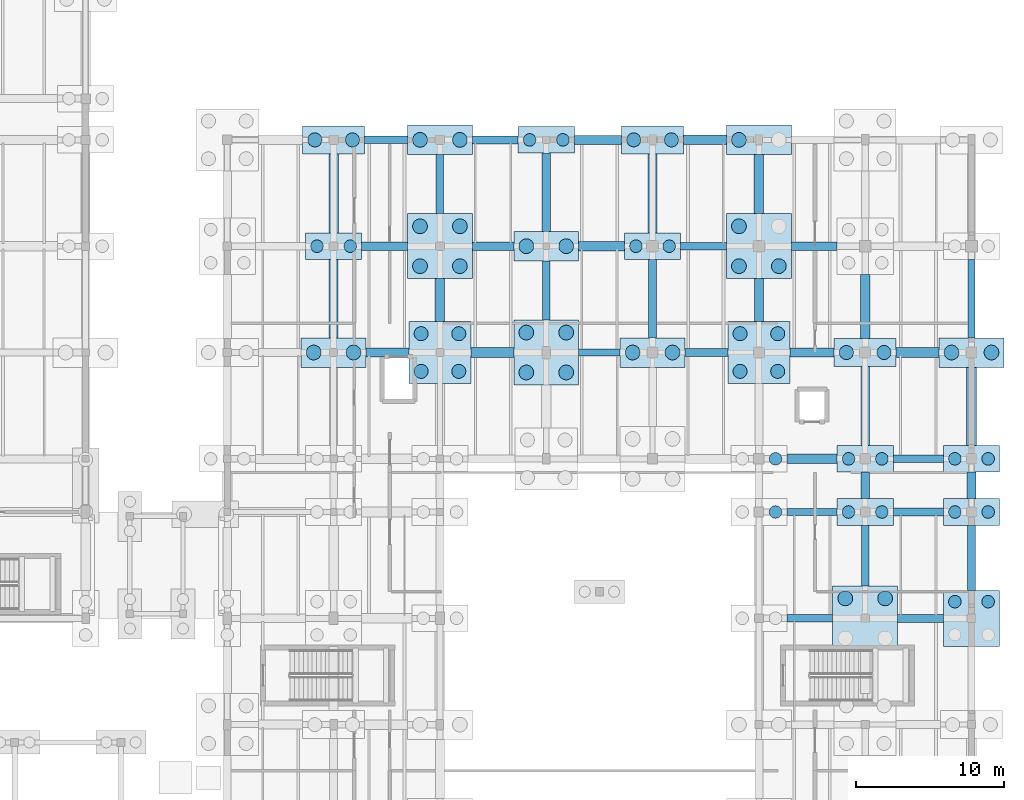
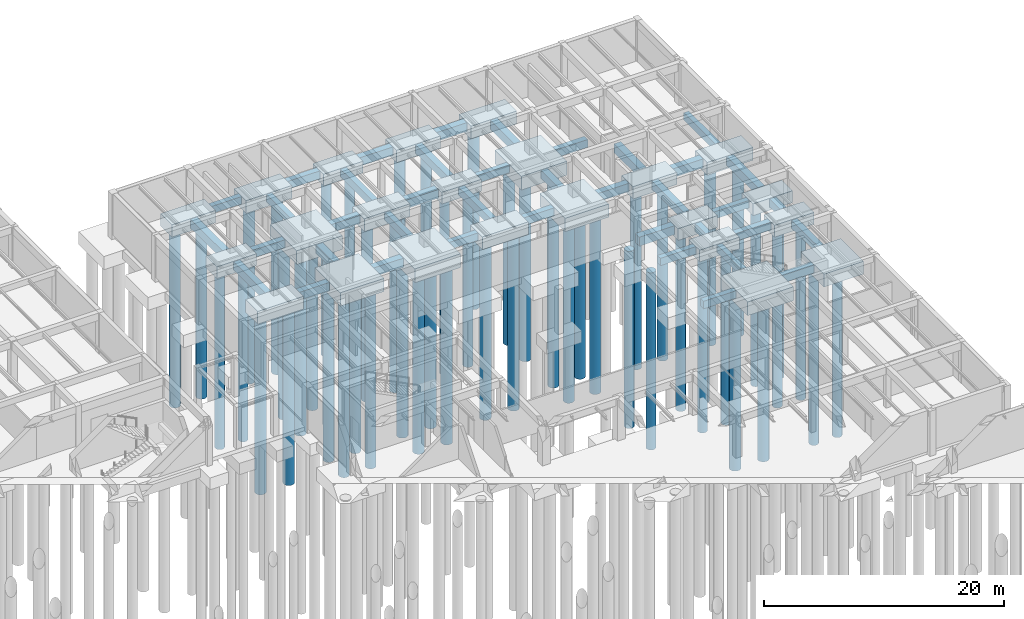
# One storey, part 16 of 63: 62 footings, 56 piles.
"""IFC4 building model written with IfcOpenShell, lengths in metres."""

from ifc_helpers import new_model, si_unit, direction, frame, origin, origin_2d, place, context, subcontext, project, spatial, rectangle, circle, extrude, material, material_profile, profile_set, type_object, element, save


model = new_model("IFC4")

# Units and contexts
model_context = context("Model", 3, precision=1e-05, world=origin(), true_north=direction((0.0, 1.0)))
body_context = subcontext(model_context, "Body", "Model", "MODEL_VIEW")
ifc_project = project(units=[si_unit("LENGTHUNIT", "METRE"), si_unit("AREAUNIT", "SQUARE_METRE"), si_unit("VOLUMEUNIT", "CUBIC_METRE"), si_unit("PLANEANGLEUNIT", "RADIAN"), si_unit("MASSUNIT", "GRAM", prefix="KILO")], contexts=[model_context])

# Site, building, storey
site_placement = place(None, origin())
site = spatial("IfcSite", under=ifc_project, at=site_placement, CompositionType="ELEMENT")
building_placement = place(site_placement, origin())
building = spatial("IfcBuilding", under=site, at=building_placement, Name="Mazaris Harbour Polytechnic", CompositionType="ELEMENT")
storey_placement = place(building_placement, frame((0.0, 0.0, -4.5)))
storey = spatial("IfcBuildingStorey", under=building, at=storey_placement, Name="B1", CompositionType="ELEMENT", Elevation=-4.5)

# Piles
ifc_material_1 = material(Name="Concrete C35/45", Category="concrete")
ifc_material_profile_1 = material_profile(ifc_material_1, circle(Radius=0.5, at=origin_2d()), Name="DIA1000")
ifc_profile_set_1 = profile_set([ifc_material_profile_1], Name="Concrete C35/45")
pile_type_1 = type_object("IfcPileType", Name="Bored Pile 1000", PredefinedType="BORED", material=ifc_profile_set_1)
for number, where, z_axis, x_axis, name in (
    (1, (128.25, 93.60009765625, -1.6201171875), (0.0, 0.0, -1.0), (1.0, 0.0, 0.0), "Bored Pile BP-257-1"),
    (2, (130.949951171875, 93.60009765625, -1.6201171875), (0.0, 0.0, -1.0), (1.0, 0.0, 0.0), "Bored Pile BP-257-2"),
    (3, (135.449951171875, 99.449951171875, -1.719970703125), (0.0, 0.0, -1.0), (1.0, 0.0, 0.0), "Bored Pile BP-268-1"),
    (4, (138.14990234375, 99.449951171875, -1.719970703125), (0.0, 0.0, -1.0), (1.0, 0.0, 0.0), "Bored Pile BP-268-2"),
    (5, (135.449951171875, 102.14990234375, -1.719970703125), (0.0, 0.0, -1.0), (1.0, 0.0, 0.0), "Bored Pile BP-268-3"),
    (6, (138.14990234375, 102.14990234375, -1.719970703125), (0.0, 0.0, -1.0), (1.0, 0.0, 0.0), "Bored Pile BP-268-4"),
    (7, (135.449951171875, 108.0, -1.6201171875), (0.0, 0.0, -1.0), (1.0, 0.0, 0.0), "Bored Pile BP-269-1"),
    (8, (138.14990234375, 108.0, -1.6201171875), (0.0, 0.0, -1.0), (1.0, 0.0, 0.0), "Bored Pile BP-269-2"),
    (9, (142.64990234375, 92.25, -1.719970703125), (0.0, 0.0, -1.0), (1.0, 0.0, 0.0), "Bored Pile BP-274-1"),
    (10, (145.35009765625, 92.25, -1.719970703125), (0.0, 0.0, -1.0), (1.0, 0.0, 0.0), "Bored Pile BP-274-2"),
    (11, (142.64990234375, 94.949951171875, -1.719970703125), (0.0, 0.0, -1.0), (1.0, 0.0, 0.0), "Bored Pile BP-274-3"),
    (12, (145.35009765625, 94.949951171875, -1.719970703125), (0.0, 0.0, -1.0), (1.0, 0.0, 0.0), "Bored Pile BP-274-4"),
    (13, (142.64990234375, 100.800048828125, -1.6201171875), (0.0, 0.0, -1.0), (1.0, 0.0, 0.0), "Bored Pile BP-275-1"),
    (14, (145.35009765625, 100.800048828125, -1.6201171875), (0.0, 0.0, -1.0), (1.0, 0.0, 0.0), "Bored Pile BP-275-2"),
    (15, (149.85009765625, 93.60009765625, -1.6201171875), (0.0, 0.0, -1.0), (1.0, 0.0, 0.0), "Bored Pile BP-281-1"),
    (16, (152.550048828125, 93.60009765625, -1.6201171875), (0.0, 0.0, -1.0), (1.0, 0.0, 0.0), "Bored Pile BP-281-2"),
    (17, (157.050048828125, 99.449951171875, -1.719970703125), (0.0, 0.0, -1.0), (1.0, 0.0, 0.0), "Bored Pile BP-292-1"),
    (18, (159.75, 99.449951171875, -1.719970703125), (0.0, 0.0, -1.0), (1.0, 0.0, 0.0), "Bored Pile BP-292-2"),
    (19, (157.050048828125, 102.14990234375, -1.719970703125), (0.0, 0.0, -1.0), (1.0, 0.0, 0.0), "Bored Pile BP-292-3"),
    (20, (157.050048828125, 108.0, -1.6201171875), (0.0, 0.0, -1.0), (1.0, 0.0, 0.0), "Bored Pile BP-293-1"),
    (21, (164.25, 76.949951171875, -1.719970703125), (0.0, 0.0, -1.0), (1.0, 0.0, 0.0), "Bored Pile BP-298-3"),
    (22, (166.949951171875, 76.949951171875, -1.719970703125), (0.0, 0.0, -1.0), (1.0, 0.0, 0.0), "Bored Pile BP-298-4"),
    (23, (171.449951171875, 93.60009765625, -1.6201171875), (0.0, 0.0, -1.0), (1.0, 0.0, 0.0), "Bored Pile BP-311-1"),
    (24, (174.14990234375, 93.60009765625, -1.6201171875), (0.0, 0.0, -1.0), (1.0, 0.0, 0.0), "Bored Pile BP-311-2"),
):
    element("IfcPile", number, at=place(storey_placement, frame(where, z_axis=z_axis, x_axis=x_axis)), inside=storey, type_object=pile_type_1, Name=name, PredefinedType="BORED", context=body_context, shape_type="SweptSolid", body=[
        extrude(circle(Radius=0.5, at=origin_2d()), origin(), (0.0, 0.0, 1.0), 18.0),
    ])
ifc_material_2 = material(Name="Concrete C35/45", Category="concrete")
ifc_material_profile_2 = material_profile(ifc_material_2, circle(Radius=0.425048828125, at=origin_2d()), Name="DIA850")
ifc_profile_set_2 = profile_set([ifc_material_profile_2], Name="Concrete C35/45")
pile_type_2 = type_object("IfcPileType", Name="Bored Pile 850", PredefinedType="BORED", material=ifc_profile_set_2)
for number, where, z_axis, x_axis, name in (
    (25, (128.473876953125, 100.800048828125, -1.52001953125), (0.0, 0.0, -1.0), (1.0, 0.0, 0.0), "Bored Pile BP-258-1"),
    (26, (130.726318359375, 100.800048828125, -1.52001953125), (0.0, 0.0, -1.0), (1.0, 0.0, 0.0), "Bored Pile BP-258-2"),
    (27, (142.873779296875, 108.0, -1.52001953125), (0.0, 0.0, -1.0), (1.0, 0.0, 0.0), "Bored Pile BP-276-1"),
    (28, (145.126220703125, 108.0, -1.52001953125), (0.0, 0.0, -1.0), (1.0, 0.0, 0.0), "Bored Pile BP-276-2"),
    (29, (150.07373046875, 100.800048828125, -1.52001953125), (0.0, 0.0, -1.0), (1.0, 0.0, 0.0), "Bored Pile BP-282-1"),
    (30, (152.326171875, 100.800048828125, -1.52001953125), (0.0, 0.0, -1.0), (1.0, 0.0, 0.0), "Bored Pile BP-282-2"),
    (31, (159.526123046875, 82.800048828125, -1.52001953125), (0.0, 0.0, -1.0), (1.0, 0.0, 0.0), "Bored Pile BP-289-2"),
    (32, (159.526123046875, 86.39990234375, -1.52001953125), (0.0, 0.0, -1.0), (1.0, 0.0, 0.0), "Bored Pile BP-290-2"),
    (33, (164.473876953125, 82.800048828125, -1.52001953125), (0.0, 0.0, -1.0), (1.0, 0.0, 0.0), "Bored Pile BP-299-1"),
    (34, (166.726318359375, 82.800048828125, -1.52001953125), (0.0, 0.0, -1.0), (1.0, 0.0, 0.0), "Bored Pile BP-299-2"),
    (35, (164.473876953125, 86.39990234375, -1.52001953125), (0.0, 0.0, -1.0), (1.0, 0.0, 0.0), "Bored Pile BP-300-1"),
    (36, (166.726318359375, 86.39990234375, -1.52001953125), (0.0, 0.0, -1.0), (1.0, 0.0, 0.0), "Bored Pile BP-300-2"),
    (37, (171.673828125, 76.726318359375, -1.6201171875), (0.0, 0.0, -1.0), (1.0, 0.0, 0.0), "Bored Pile BP-308-3"),
    (38, (173.92626953125, 76.726318359375, -1.6201171875), (0.0, 0.0, -1.0), (1.0, 0.0, 0.0), "Bored Pile BP-308-4"),
    (39, (171.673828125, 82.800048828125, -1.52001953125), (0.0, 0.0, -1.0), (1.0, 0.0, 0.0), "Bored Pile BP-309-1"),
    (40, (173.92626953125, 82.800048828125, -1.52001953125), (0.0, 0.0, -1.0), (1.0, 0.0, 0.0), "Bored Pile BP-309-2"),
    (41, (171.673828125, 86.39990234375, -1.52001953125), (0.0, 0.0, -1.0), (1.0, 0.0, 0.0), "Bored Pile BP-310-1"),
    (42, (173.92626953125, 86.39990234375, -1.52001953125), (0.0, 0.0, -1.0), (1.0, 0.0, 0.0), "Bored Pile BP-310-2"),
):
    element("IfcPile", number, at=place(storey_placement, frame(where, z_axis=z_axis, x_axis=x_axis)), inside=storey, type_object=pile_type_2, Name=name, PredefinedType="BORED", context=body_context, shape_type="SweptSolid", body=[
        extrude(circle(Radius=0.425048828125, at=origin_2d()), origin(), (0.0, 0.0, 1.0), 18.0),
    ])
ifc_material_3 = material(Name="Concrete C35/45", Category="concrete")
ifc_material_profile_3 = material_profile(ifc_material_3, circle(Radius=0.47509765625, at=origin_2d()), Name="DIA950")
ifc_profile_set_3 = profile_set([ifc_material_profile_3], Name="Concrete C35/45")
pile_type_3 = type_object("IfcPileType", Name="Bored Pile 950", PredefinedType="BORED", material=ifc_profile_set_3)
for number, where, z_axis, x_axis, name in (
    (43, (128.324951171875, 108.0, -1.570068359375), (0.0, 0.0, -1.0), (1.0, 0.0, 0.0), "Bored Pile BP-259-1"),
    (44, (130.875, 108.0, -1.570068359375), (0.0, 0.0, -1.0), (1.0, 0.0, 0.0), "Bored Pile BP-259-2"),
    (45, (135.52490234375, 92.324951171875, -1.669921875), (0.0, 0.0, -1.0), (1.0, 0.0, 0.0), "Bored Pile BP-267-1"),
    (46, (138.074951171875, 92.324951171875, -1.669921875), (0.0, 0.0, -1.0), (1.0, 0.0, 0.0), "Bored Pile BP-267-2"),
    (47, (135.52490234375, 94.875, -1.669921875), (0.0, 0.0, -1.0), (1.0, 0.0, 0.0), "Bored Pile BP-267-3"),
    (48, (138.074951171875, 94.875, -1.669921875), (0.0, 0.0, -1.0), (1.0, 0.0, 0.0), "Bored Pile BP-267-4"),
    (49, (149.925048828125, 108.0, -1.570068359375), (0.0, 0.0, -1.0), (1.0, 0.0, 0.0), "Bored Pile BP-283-1"),
    (50, (152.47509765625, 108.0, -1.570068359375), (0.0, 0.0, -1.0), (1.0, 0.0, 0.0), "Bored Pile BP-283-2"),
    (51, (157.125, 92.324951171875, -1.669921875), (0.0, 0.0, -1.0), (1.0, 0.0, 0.0), "Bored Pile BP-291-1"),
    (52, (159.675048828125, 92.324951171875, -1.669921875), (0.0, 0.0, -1.0), (1.0, 0.0, 0.0), "Bored Pile BP-291-2"),
    (53, (157.125, 94.875, -1.669921875), (0.0, 0.0, -1.0), (1.0, 0.0, 0.0), "Bored Pile BP-291-3"),
    (54, (159.675048828125, 94.875, -1.669921875), (0.0, 0.0, -1.0), (1.0, 0.0, 0.0), "Bored Pile BP-291-4"),
    (55, (164.324951171875, 93.60009765625, -1.570068359375), (0.0, 0.0, -1.0), (1.0, 0.0, 0.0), "Bored Pile BP-301-1"),
    (56, (166.875, 93.60009765625, -1.570068359375), (0.0, 0.0, -1.0), (1.0, 0.0, 0.0), "Bored Pile BP-301-2"),
):
    element("IfcPile", number, at=place(storey_placement, frame(where, z_axis=z_axis, x_axis=x_axis)), inside=storey, type_object=pile_type_3, Name=name, PredefinedType="BORED", context=body_context, shape_type="SweptSolid", body=[
        extrude(circle(Radius=0.47509765625, at=origin_2d()), origin(), (0.0, 0.0, 1.0), 18.0),
    ])

# Footings
ifc_material_4 = material(Name="Concrete C35/45", Category="concrete")
footing_type_1 = type_object("IfcFootingType", Name="Pile Cap 3800x1800x1200", PredefinedType="PILE_CAP", material=ifc_material_4)
for number, where, z_axis, x_axis, name in (
    (57, (129.60009765625, 100.800048828125, -1.6201171875), (0.0, 0.0, 1.0), (1.0, 0.0, 0.0), "Pile Cap CAP-258"),
    (58, (144.0, 108.0, -1.6201171875), (0.0, 0.0, 1.0), (1.0, 0.0, 0.0), "Pile Cap CAP-276"),
    (59, (151.199951171875, 100.800048828125, -1.6201171875), (0.0, 0.0, 1.0), (1.0, 0.0, 0.0), "Pile Cap CAP-282"),
    (60, (165.60009765625, 82.800048828125, -1.6201171875), (0.0, 0.0, 1.0), (1.0, 0.0, 0.0), "Pile Cap CAP-299"),
    (61, (165.60009765625, 86.39990234375, -1.6201171875), (0.0, 0.0, 1.0), (1.0, 0.0, 0.0), "Pile Cap CAP-300"),
    (62, (172.800048828125, 82.800048828125, -1.6201171875), (0.0, 0.0, 1.0), (1.0, 0.0, 0.0), "Pile Cap CAP-309"),
    (63, (172.800048828125, 86.39990234375, -1.6201171875), (0.0, 0.0, 1.0), (1.0, 0.0, 0.0), "Pile Cap CAP-310"),
):
    element("IfcFooting", number, at=place(storey_placement, frame(where, z_axis=z_axis, x_axis=x_axis)), inside=storey, type_object=footing_type_1, Name=name, PredefinedType="PILE_CAP", context=body_context, shape_type="SweptSolid", body=[
        extrude(rectangle(XDim=3.800048828125, YDim=1.800048828125, at=origin_2d()), origin(), (0.0, 0.0, 1.0), 1.199951171875),
    ])
ifc_material_5 = material(Name="Concrete C35/45", Category="concrete")
footing_type_2 = type_object("IfcFootingType", Name="Pile Cap 3800x3800x1300", PredefinedType="PILE_CAP", material=ifc_material_5)
footing_1_placement = place(storey_placement, frame((172.800048828125, 75.60009765625, -1.72021484375), z_axis=(0.0, 0.0, 1.0), x_axis=(1.0, 0.0, 0.0)))
element("IfcFooting", 64, at=footing_1_placement, inside=storey, type_object=footing_type_2, Name="Pile Cap CAP-308", PredefinedType="PILE_CAP", context=body_context, shape_type="SweptSolid", body=[
    extrude(rectangle(XDim=3.800048828125, YDim=3.800048828125, at=origin_2d()), origin(), (0.0, 0.0, 1.0), 1.300048828125),
])
ifc_material_6 = material(Name="Concrete C35/45", Category="concrete")
footing_type_3 = type_object("IfcFootingType", Name="Pile Cap 4200x1900x1250", PredefinedType="PILE_CAP", material=ifc_material_6)
for number, where, z_axis, x_axis, name in (
    (65, (129.60009765625, 108.0, -1.669921875), (0.0, 0.0, 1.0), (1.0, 0.0, 0.0), "Pile Cap CAP-259"),
    (66, (151.199951171875, 108.0, -1.669921875), (0.0, 0.0, 1.0), (1.0, 0.0, 0.0), "Pile Cap CAP-283"),
    (67, (165.60009765625, 93.60009765625, -1.669921875), (0.0, 0.0, 1.0), (1.0, 0.0, 0.0), "Pile Cap CAP-301"),
):
    element("IfcFooting", number, at=place(storey_placement, frame(where, z_axis=z_axis, x_axis=x_axis)), inside=storey, type_object=footing_type_3, Name=name, PredefinedType="PILE_CAP", context=body_context, shape_type="SweptSolid", body=[
        extrude(rectangle(XDim=4.199951171875, YDim=1.89990234375, at=origin_2d()), origin(), (0.0, 0.0, 1.0), 1.25),
    ])
ifc_material_7 = material(Name="Concrete C35/45", Category="concrete")
footing_type_4 = type_object("IfcFootingType", Name="Pile Cap 4200x4200x1350", PredefinedType="PILE_CAP", material=ifc_material_7)
for number, where, z_axis, x_axis, name in (
    (68, (136.800048828125, 93.60009765625, -1.77001953125), (0.0, 0.0, 1.0), (1.0, 0.0, 0.0), "Pile Cap CAP-267"),
    (69, (158.39990234375, 93.60009765625, -1.77001953125), (0.0, 0.0, 1.0), (1.0, 0.0, 0.0), "Pile Cap CAP-291"),
):
    element("IfcFooting", number, at=place(storey_placement, frame(where, z_axis=z_axis, x_axis=x_axis)), inside=storey, type_object=footing_type_4, Name=name, PredefinedType="PILE_CAP", context=body_context, shape_type="SweptSolid", body=[
        extrude(rectangle(XDim=4.199951171875, YDim=4.199951171875, at=origin_2d()), origin(), (0.0, 0.0, 1.0), 1.35009765625),
    ])
ifc_material_8 = material(Name="Concrete C35/45", Category="concrete")
footing_type_5 = type_object("IfcFootingType", Name="Pile Cap 4400x2000x1300", PredefinedType="PILE_CAP", material=ifc_material_8)
for number, where, z_axis, x_axis, name in (
    (70, (129.60009765625, 93.60009765625, -1.72021484375), (0.0, 0.0, 1.0), (1.0, 0.0, 0.0), "Pile Cap CAP-257"),
    (71, (136.800048828125, 108.0, -1.72021484375), (0.0, 0.0, 1.0), (1.0, 0.0, 0.0), "Pile Cap CAP-269"),
    (72, (144.0, 100.800048828125, -1.72021484375), (0.0, 0.0, 1.0), (1.0, 0.0, 0.0), "Pile Cap CAP-275"),
    (73, (151.199951171875, 93.60009765625, -1.72021484375), (0.0, 0.0, 1.0), (1.0, 0.0, 0.0), "Pile Cap CAP-281"),
    (74, (158.39990234375, 108.0, -1.72021484375), (0.0, 0.0, 1.0), (1.0, 0.0, 0.0), "Pile Cap CAP-293"),
    (75, (172.800048828125, 93.60009765625, -1.72021484375), (0.0, 0.0, 1.0), (1.0, 0.0, 0.0), "Pile Cap CAP-311"),
):
    element("IfcFooting", number, at=place(storey_placement, frame(where, z_axis=z_axis, x_axis=x_axis)), inside=storey, type_object=footing_type_5, Name=name, PredefinedType="PILE_CAP", context=body_context, shape_type="SweptSolid", body=[
        extrude(rectangle(XDim=4.39990234375, YDim=2.0, at=origin_2d()), origin(), (0.0, 0.0, 1.0), 1.300048828125),
    ])
ifc_material_9 = material(Name="Concrete C35/45", Category="concrete")
footing_type_6 = type_object("IfcFootingType", Name="Pile Cap 4400x4400x1400", PredefinedType="PILE_CAP", material=ifc_material_9)
for number, where, z_axis, x_axis, name in (
    (76, (136.800048828125, 100.800048828125, -1.820068359375), (0.0, 0.0, 1.0), (1.0, 0.0, 0.0), "Pile Cap CAP-268"),
    (77, (144.0, 93.60009765625, -1.820068359375), (0.0, 0.0, 1.0), (1.0, 0.0, 0.0), "Pile Cap CAP-274"),
    (78, (158.39990234375, 100.800048828125, -1.820068359375), (0.0, 0.0, 1.0), (1.0, 0.0, 0.0), "Pile Cap CAP-292"),
    (79, (165.60009765625, 75.60009765625, -1.820068359375), (0.0, 0.0, 1.0), (1.0, 0.0, 0.0), "Pile Cap CAP-298"),
):
    element("IfcFooting", number, at=place(storey_placement, frame(where, z_axis=z_axis, x_axis=x_axis)), inside=storey, type_object=footing_type_6, Name=name, PredefinedType="PILE_CAP", context=body_context, shape_type="SweptSolid", body=[
        extrude(rectangle(XDim=4.39990234375, YDim=4.39990234375, at=origin_2d()), origin(), (0.0, 0.0, 1.0), 1.39990234375),
    ])
ifc_material_10 = material(Name="Concrete C35/45", Category="concrete")
ifc_material_profile_4 = material_profile(ifc_material_10, rectangle(XDim=0.5, YDim=0.75, at=origin_2d()), Name="RECT500x750")
ifc_profile_set_4 = profile_set([ifc_material_profile_4], Name="Concrete C35/45")
footing_type_7 = type_object("IfcFootingType", Name="Seismic Tie Beam 500x750", PredefinedType="FOOTING_BEAM", material=ifc_profile_set_4)
footing_2_placement = place(storey_placement, frame((160.300048828125, 75.60009765625, -0.8349609375), z_axis=(1.0, 0.0, 0.0), x_axis=(0.0, 1.0, 0.0)))
element("IfcFooting", 80, at=footing_2_placement, inside=storey, type_object=footing_type_7, Name="Seismic Tie Beam FTB-432", PredefinedType="FOOTING_BEAM", context=body_context, shape_type="SweptSolid", body=[
    extrude(rectangle(XDim=0.5, YDim=0.75, at=origin_2d()), origin(), (0.0, 0.0, 1.0), 3.099853515625),
])
for number, where, z_axis, x_axis, name in (
    (81, (160.300048828125, 82.800048828125, -0.8349609375), (1.0, 0.0, 0.0), (0.0, 1.0, 0.0), "Seismic Tie Beam FTB-436"),
    (82, (167.5, 86.39990234375, -0.8349609375), (1.0, 0.0, 0.0), (0.0, 1.0, 0.0), "Seismic Tie Beam FTB-444"),
):
    element("IfcFooting", number, at=place(storey_placement, frame(where, z_axis=z_axis, x_axis=x_axis)), inside=storey, type_object=footing_type_7, Name=name, PredefinedType="FOOTING_BEAM", context=body_context, shape_type="SweptSolid", body=[
        extrude(rectangle(XDim=0.5, YDim=0.75, at=origin_2d()), origin(), (0.0, 0.0, 1.0), 3.39990234375),
    ])
footing_3_placement = place(storey_placement, frame((146.199951171875, 93.60009765625, -0.8349609375), z_axis=(1.0, 0.0, 0.0), x_axis=(0.0, 1.0, 0.0)))
element("IfcFooting", 83, at=footing_3_placement, inside=storey, type_object=footing_type_7, Name="Seismic Tie Beam FTB-448", PredefinedType="FOOTING_BEAM", context=body_context, shape_type="SweptSolid", body=[
    extrude(rectangle(XDim=0.5, YDim=0.75, at=origin_2d()), origin(), (0.0, 0.0, 1.0), 2.800048828125),
])
footing_4_placement = place(storey_placement, frame((153.10009765625, 100.800048828125, -0.8349609375), z_axis=(1.0, 0.0, 0.0), x_axis=(0.0, 1.0, 0.0)))
element("IfcFooting", 84, at=footing_4_placement, inside=storey, type_object=footing_type_7, Name="Seismic Tie Beam FTB-456", PredefinedType="FOOTING_BEAM", context=body_context, shape_type="SweptSolid", body=[
    extrude(rectangle(XDim=0.5, YDim=0.75, at=origin_2d()), origin(), (0.0, 0.0, 1.0), 3.099853515625),
])
footing_5_placement = place(storey_placement, frame((131.699951171875, 108.0, -0.8349609375), z_axis=(1.0, 0.0, 0.0), x_axis=(0.0, 1.0, 0.0)))
element("IfcFooting", 85, at=footing_5_placement, inside=storey, type_object=footing_type_7, Name="Seismic Tie Beam FTB-460", PredefinedType="FOOTING_BEAM", context=body_context, shape_type="SweptSolid", body=[
    extrude(rectangle(XDim=0.5, YDim=0.75, at=origin_2d()), origin(), (0.0, 0.0, 1.0), 2.900146484375),
])
for number, where, z_axis, x_axis, name in (
    (86, (136.800048828125, 103.0, -0.8349609375), (0.0, 1.0, 0.0), (-1.0, 0.0, 0.0), "Seismic Tie Beam FTB-492"),
    (87, (144.0, 95.800048828125, -0.8349609375), (0.0, 1.0, 0.0), (-1.0, 0.0, 0.0), "Seismic Tie Beam FTB-496"),
):
    element("IfcFooting", number, at=place(storey_placement, frame(where, z_axis=z_axis, x_axis=x_axis)), inside=storey, type_object=footing_type_7, Name=name, PredefinedType="FOOTING_BEAM", context=body_context, shape_type="SweptSolid", body=[
        extrude(rectangle(XDim=0.5, YDim=0.75, at=origin_2d()), origin(), (0.0, 0.0, 1.0), 4.0),
    ])
footing_6_placement = place(storey_placement, frame((165.60009765625, 77.800048828125, -0.8349609375), z_axis=(0.0, 1.0, 0.0), x_axis=(-1.0, 0.0, 0.0)))
element("IfcFooting", 88, at=footing_6_placement, inside=storey, type_object=footing_type_7, Name="Seismic Tie Beam FTB-516", PredefinedType="FOOTING_BEAM", context=body_context, shape_type="SweptSolid", body=[
    extrude(rectangle(XDim=0.5, YDim=0.75, at=origin_2d()), origin(), (0.0, 0.0, 1.0), 4.099853515625),
])
footing_7_placement = place(storey_placement, frame((172.800048828125, 94.60009765625, -0.8349609375), z_axis=(0.0, 1.0, 0.0), x_axis=(-1.0, 0.0, 0.0)))
element("IfcFooting", 89, at=footing_7_placement, inside=storey, type_object=footing_type_7, Name="Seismic Tie Beam FTB-528", PredefinedType="FOOTING_BEAM", context=body_context, shape_type="SweptSolid", body=[
    extrude(rectangle(XDim=0.5, YDim=0.75, at=origin_2d()), origin(), (0.0, 0.0, 1.0), 5.2998046875),
])
ifc_material_11 = material(Name="Concrete C35/45", Category="concrete")
ifc_material_profile_5 = material_profile(ifc_material_11, rectangle(XDim=0.550048828125, YDim=0.800048828125, at=origin_2d()), Name="RECT550x800")
ifc_profile_set_5 = profile_set([ifc_material_profile_5], Name="Concrete C35/45")
footing_type_8 = type_object("IfcFootingType", Name="Seismic Tie Beam 550x800", PredefinedType="FOOTING_BEAM", material=ifc_profile_set_5)
footing_8_placement = place(storey_placement, frame((167.800048828125, 75.60009765625, -0.860107421875), z_axis=(1.0, 0.0, 0.0), x_axis=(0.0, 1.0, 0.0)))
element("IfcFooting", 90, at=footing_8_placement, inside=storey, type_object=footing_type_8, Name="Seismic Tie Beam FTB-433", PredefinedType="FOOTING_BEAM", context=body_context, shape_type="SweptSolid", body=[
    extrude(rectangle(XDim=0.550048828125, YDim=0.800048828125, at=origin_2d()), origin(), (0.0, 0.0, 1.0), 3.099853515625),
])
footing_9_placement = place(storey_placement, frame((167.5, 82.800048828125, -0.860107421875), z_axis=(1.0, 0.0, 0.0), x_axis=(0.0, 1.0, 0.0)))
element("IfcFooting", 91, at=footing_9_placement, inside=storey, type_object=footing_type_8, Name="Seismic Tie Beam FTB-437", PredefinedType="FOOTING_BEAM", context=body_context, shape_type="SweptSolid", body=[
    extrude(rectangle(XDim=0.550048828125, YDim=0.800048828125, at=origin_2d()), origin(), (0.0, 0.0, 1.0), 3.39990234375),
])
footing_10_placement = place(storey_placement, frame((153.39990234375, 93.60009765625, -0.860107421875), z_axis=(1.0, 0.0, 0.0), x_axis=(0.0, 1.0, 0.0)))
element("IfcFooting", 92, at=footing_10_placement, inside=storey, type_object=footing_type_8, Name="Seismic Tie Beam FTB-449", PredefinedType="FOOTING_BEAM", context=body_context, shape_type="SweptSolid", body=[
    extrude(rectangle(XDim=0.550048828125, YDim=0.800048828125, at=origin_2d()), origin(), (0.0, 0.0, 1.0), 2.900146484375),
])
footing_11_placement = place(storey_placement, frame((131.5, 100.800048828125, -0.860107421875), z_axis=(1.0, 0.0, 0.0), x_axis=(0.0, 1.0, 0.0)))
element("IfcFooting", 93, at=footing_11_placement, inside=storey, type_object=footing_type_8, Name="Seismic Tie Beam FTB-453", PredefinedType="FOOTING_BEAM", context=body_context, shape_type="SweptSolid", body=[
    extrude(rectangle(XDim=0.550048828125, YDim=0.800048828125, at=origin_2d()), origin(), (0.0, 0.0, 1.0), 3.10009765625),
])
footing_12_placement = place(storey_placement, frame((160.60009765625, 100.800048828125, -0.860107421875), z_axis=(1.0, 0.0, 0.0), x_axis=(0.0, 1.0, 0.0)))
element("IfcFooting", 94, at=footing_12_placement, inside=storey, type_object=footing_type_8, Name="Seismic Tie Beam FTB-457", PredefinedType="FOOTING_BEAM", context=body_context, shape_type="SweptSolid", body=[
    extrude(rectangle(XDim=0.550048828125, YDim=0.800048828125, at=origin_2d()), origin(), (0.0, 0.0, 1.0), 3.099853515625),
])
footing_13_placement = place(storey_placement, frame((139.0, 108.0, -0.860107421875), z_axis=(1.0, 0.0, 0.0), x_axis=(0.0, 1.0, 0.0)))
element("IfcFooting", 95, at=footing_13_placement, inside=storey, type_object=footing_type_8, Name="Seismic Tie Beam FTB-461", PredefinedType="FOOTING_BEAM", context=body_context, shape_type="SweptSolid", body=[
    extrude(rectangle(XDim=0.550048828125, YDim=0.800048828125, at=origin_2d()), origin(), (0.0, 0.0, 1.0), 3.10009765625),
])
footing_14_placement = place(storey_placement, frame((144.0, 101.800048828125, -0.860107421875), z_axis=(0.0, 1.0, 0.0), x_axis=(-1.0, 0.0, 0.0)))
element("IfcFooting", 96, at=footing_14_placement, inside=storey, type_object=footing_type_8, Name="Seismic Tie Beam FTB-497", PredefinedType="FOOTING_BEAM", context=body_context, shape_type="SweptSolid", body=[
    extrude(rectangle(XDim=0.550048828125, YDim=0.800048828125, at=origin_2d()), origin(), (0.0, 0.0, 1.0), 5.300048828125),
])
footing_15_placement = place(storey_placement, frame((151.199951171875, 94.60009765625, -0.860107421875), z_axis=(0.0, 1.0, 0.0), x_axis=(-1.0, 0.0, 0.0)))
element("IfcFooting", 97, at=footing_15_placement, inside=storey, type_object=footing_type_8, Name="Seismic Tie Beam FTB-501", PredefinedType="FOOTING_BEAM", context=body_context, shape_type="SweptSolid", body=[
    extrude(rectangle(XDim=0.550048828125, YDim=0.800048828125, at=origin_2d()), origin(), (0.0, 0.0, 1.0), 5.2998046875),
])
footing_16_placement = place(storey_placement, frame((165.60009765625, 83.699951171875, -0.860107421875), z_axis=(0.0, 1.0, 0.0), x_axis=(-1.0, 0.0, 0.0)))
element("IfcFooting", 98, at=footing_16_placement, inside=storey, type_object=footing_type_8, Name="Seismic Tie Beam FTB-517", PredefinedType="FOOTING_BEAM", context=body_context, shape_type="SweptSolid", body=[
    extrude(rectangle(XDim=0.550048828125, YDim=0.800048828125, at=origin_2d()), origin(), (0.0, 0.0, 1.0), 1.800048828125),
])
footing_17_placement = place(storey_placement, frame((172.800048828125, 77.5, -0.860107421875), z_axis=(0.0, 1.0, 0.0), x_axis=(-1.0, 0.0, 0.0)))
element("IfcFooting", 99, at=footing_17_placement, inside=storey, type_object=footing_type_8, Name="Seismic Tie Beam FTB-525", PredefinedType="FOOTING_BEAM", context=body_context, shape_type="SweptSolid", body=[
    extrude(rectangle(XDim=0.550048828125, YDim=0.800048828125, at=origin_2d()), origin(), (0.0, 0.0, 1.0), 4.39990234375),
])
ifc_material_12 = material(Name="Concrete C35/45", Category="concrete")
ifc_material_profile_6 = material_profile(ifc_material_12, rectangle(XDim=0.60009765625, YDim=0.85009765625, at=origin_2d()), Name="RECT600x850")
ifc_profile_set_6 = profile_set([ifc_material_profile_6], Name="Concrete C35/45")
footing_type_9 = type_object("IfcFootingType", Name="Seismic Tie Beam 600x850", PredefinedType="FOOTING_BEAM", material=ifc_profile_set_6)
footing_18_placement = place(storey_placement, frame((131.800048828125, 93.60009765625, -0.885009765625), z_axis=(1.0, 0.0, 0.0), x_axis=(0.0, 1.0, 0.0)))
element("IfcFooting", 100, at=footing_18_placement, inside=storey, type_object=footing_type_9, Name="Seismic Tie Beam FTB-446", PredefinedType="FOOTING_BEAM", context=body_context, shape_type="SweptSolid", body=[
    extrude(rectangle(XDim=0.60009765625, YDim=0.85009765625, at=origin_2d()), origin(), (0.0, 0.0, 1.0), 2.89990234375),
])
footing_19_placement = place(storey_placement, frame((160.5, 93.60009765625, -0.885009765625), z_axis=(1.0, 0.0, 0.0), x_axis=(0.0, 1.0, 0.0)))
element("IfcFooting", 101, at=footing_19_placement, inside=storey, type_object=footing_type_9, Name="Seismic Tie Beam FTB-450", PredefinedType="FOOTING_BEAM", context=body_context, shape_type="SweptSolid", body=[
    extrude(rectangle(XDim=0.60009765625, YDim=0.85009765625, at=origin_2d()), origin(), (0.0, 0.0, 1.0), 3.0),
])
footing_20_placement = place(storey_placement, frame((139.0, 100.800048828125, -0.885009765625), z_axis=(1.0, 0.0, 0.0), x_axis=(0.0, 1.0, 0.0)))
element("IfcFooting", 102, at=footing_20_placement, inside=storey, type_object=footing_type_9, Name="Seismic Tie Beam FTB-454", PredefinedType="FOOTING_BEAM", context=body_context, shape_type="SweptSolid", body=[
    extrude(rectangle(XDim=0.60009765625, YDim=0.85009765625, at=origin_2d()), origin(), (0.0, 0.0, 1.0), 2.800048828125),
])
footing_21_placement = place(storey_placement, frame((145.89990234375, 108.0, -0.885009765625), z_axis=(1.0, 0.0, 0.0), x_axis=(0.0, 1.0, 0.0)))
element("IfcFooting", 103, at=footing_21_placement, inside=storey, type_object=footing_type_9, Name="Seismic Tie Beam FTB-462", PredefinedType="FOOTING_BEAM", context=body_context, shape_type="SweptSolid", body=[
    extrude(rectangle(XDim=0.60009765625, YDim=0.85009765625, at=origin_2d()), origin(), (0.0, 0.0, 1.0), 3.2001953125),
])
footing_22_placement = place(storey_placement, frame((129.60009765625, 94.60009765625, -0.885009765625), z_axis=(0.0, 1.0, 0.0), x_axis=(-1.0, 0.0, 0.0)))
element("IfcFooting", 104, at=footing_22_placement, inside=storey, type_object=footing_type_9, Name="Seismic Tie Beam FTB-482", PredefinedType="FOOTING_BEAM", context=body_context, shape_type="SweptSolid", body=[
    extrude(rectangle(XDim=0.60009765625, YDim=0.85009765625, at=origin_2d()), origin(), (0.0, 0.0, 1.0), 5.2998046875),
])
footing_23_placement = place(storey_placement, frame((151.199951171875, 101.699951171875, -0.885009765625), z_axis=(0.0, 1.0, 0.0), x_axis=(-1.0, 0.0, 0.0)))
element("IfcFooting", 105, at=footing_23_placement, inside=storey, type_object=footing_type_9, Name="Seismic Tie Beam FTB-502", PredefinedType="FOOTING_BEAM", context=body_context, shape_type="SweptSolid", body=[
    extrude(rectangle(XDim=0.60009765625, YDim=0.85009765625, at=origin_2d()), origin(), (0.0, 0.0, 1.0), 5.35009765625),
])
footing_24_placement = place(storey_placement, frame((158.39990234375, 95.699951171875, -0.885009765625), z_axis=(0.0, 1.0, 0.0), x_axis=(-1.0, 0.0, 0.0)))
element("IfcFooting", 106, at=footing_24_placement, inside=storey, type_object=footing_type_9, Name="Seismic Tie Beam FTB-510", PredefinedType="FOOTING_BEAM", context=body_context, shape_type="SweptSolid", body=[
    extrude(rectangle(XDim=0.60009765625, YDim=0.85009765625, at=origin_2d()), origin(), (0.0, 0.0, 1.0), 2.900146484375),
])
footing_25_placement = place(storey_placement, frame((165.60009765625, 87.300048828125, -0.885009765625), z_axis=(0.0, 1.0, 0.0), x_axis=(-1.0, 0.0, 0.0)))
element("IfcFooting", 107, at=footing_25_placement, inside=storey, type_object=footing_type_9, Name="Seismic Tie Beam FTB-518", PredefinedType="FOOTING_BEAM", context=body_context, shape_type="SweptSolid", body=[
    extrude(rectangle(XDim=0.60009765625, YDim=0.85009765625, at=origin_2d()), origin(), (0.0, 0.0, 1.0), 5.349853515625),
])
footing_26_placement = place(storey_placement, frame((172.800048828125, 83.699951171875, -0.885009765625), z_axis=(0.0, 1.0, 0.0), x_axis=(-1.0, 0.0, 0.0)))
element("IfcFooting", 108, at=footing_26_placement, inside=storey, type_object=footing_type_9, Name="Seismic Tie Beam FTB-526", PredefinedType="FOOTING_BEAM", context=body_context, shape_type="SweptSolid", body=[
    extrude(rectangle(XDim=0.60009765625, YDim=0.85009765625, at=origin_2d()), origin(), (0.0, 0.0, 1.0), 1.800048828125),
])
ifc_material_13 = material(Name="Concrete C35/45", Category="concrete")
ifc_material_profile_7 = material_profile(ifc_material_13, rectangle(XDim=0.64990234375, YDim=0.89990234375, at=origin_2d()), Name="RECT650x900")
ifc_profile_set_7 = profile_set([ifc_material_profile_7], Name="Concrete C35/45")
footing_type_10 = type_object("IfcFootingType", Name="Seismic Tie Beam 650x900", PredefinedType="FOOTING_BEAM", material=ifc_profile_set_7)
footing_27_placement = place(storey_placement, frame((160.300048828125, 86.39990234375, -0.909912109375), z_axis=(1.0, 0.0, 0.0), x_axis=(0.0, 1.0, 0.0)))
element("IfcFooting", 109, at=footing_27_placement, inside=storey, type_object=footing_type_10, Name="Seismic Tie Beam FTB-443", PredefinedType="FOOTING_BEAM", context=body_context, shape_type="SweptSolid", body=[
    extrude(rectangle(XDim=0.64990234375, YDim=0.89990234375, at=origin_2d()), origin(), (0.0, 0.0, 1.0), 3.39990234375),
])
for number, where, z_axis, x_axis, name in (
    (110, (138.89990234375, 93.60009765625, -0.909912109375), (1.0, 0.0, 0.0), (0.0, 1.0, 0.0), "Seismic Tie Beam FTB-447"),
    (111, (167.699951171875, 93.60009765625, -0.909912109375), (1.0, 0.0, 0.0), (0.0, 1.0, 0.0), "Seismic Tie Beam FTB-451"),
):
    element("IfcFooting", number, at=place(storey_placement, frame(where, z_axis=z_axis, x_axis=x_axis)), inside=storey, type_object=footing_type_10, Name=name, PredefinedType="FOOTING_BEAM", context=body_context, shape_type="SweptSolid", body=[
        extrude(rectangle(XDim=0.64990234375, YDim=0.89990234375, at=origin_2d()), origin(), (0.0, 0.0, 1.0), 2.900146484375),
    ])
footing_28_placement = place(storey_placement, frame((146.199951171875, 100.800048828125, -0.909912109375), z_axis=(1.0, 0.0, 0.0), x_axis=(0.0, 1.0, 0.0)))
element("IfcFooting", 112, at=footing_28_placement, inside=storey, type_object=footing_type_10, Name="Seismic Tie Beam FTB-455", PredefinedType="FOOTING_BEAM", context=body_context, shape_type="SweptSolid", body=[
    extrude(rectangle(XDim=0.64990234375, YDim=0.89990234375, at=origin_2d()), origin(), (0.0, 0.0, 1.0), 3.10009765625),
])
footing_29_placement = place(storey_placement, frame((153.300048828125, 108.0, -0.909912109375), z_axis=(1.0, 0.0, 0.0), x_axis=(0.0, 1.0, 0.0)))
element("IfcFooting", 113, at=footing_29_placement, inside=storey, type_object=footing_type_10, Name="Seismic Tie Beam FTB-463", PredefinedType="FOOTING_BEAM", context=body_context, shape_type="SweptSolid", body=[
    extrude(rectangle(XDim=0.64990234375, YDim=0.89990234375, at=origin_2d()), origin(), (0.0, 0.0, 1.0), 2.89990234375),
])
footing_30_placement = place(storey_placement, frame((129.60009765625, 101.699951171875, -0.909912109375), z_axis=(0.0, 1.0, 0.0), x_axis=(-1.0, 0.0, 0.0)))
element("IfcFooting", 114, at=footing_30_placement, inside=storey, type_object=footing_type_10, Name="Seismic Tie Beam FTB-483", PredefinedType="FOOTING_BEAM", context=body_context, shape_type="SweptSolid", body=[
    extrude(rectangle(XDim=0.64990234375, YDim=0.89990234375, at=origin_2d()), origin(), (0.0, 0.0, 1.0), 5.35009765625),
])
footing_31_placement = place(storey_placement, frame((136.800048828125, 95.699951171875, -0.909912109375), z_axis=(0.0, 1.0, 0.0), x_axis=(-1.0, 0.0, 0.0)))
element("IfcFooting", 115, at=footing_31_placement, inside=storey, type_object=footing_type_10, Name="Seismic Tie Beam FTB-491", PredefinedType="FOOTING_BEAM", context=body_context, shape_type="SweptSolid", body=[
    extrude(rectangle(XDim=0.64990234375, YDim=0.89990234375, at=origin_2d()), origin(), (0.0, 0.0, 1.0), 2.900146484375),
])
footing_32_placement = place(storey_placement, frame((158.39990234375, 103.0, -0.909912109375), z_axis=(0.0, 1.0, 0.0), x_axis=(-1.0, 0.0, 0.0)))
element("IfcFooting", 116, at=footing_32_placement, inside=storey, type_object=footing_type_10, Name="Seismic Tie Beam FTB-511", PredefinedType="FOOTING_BEAM", context=body_context, shape_type="SweptSolid", body=[
    extrude(rectangle(XDim=0.64990234375, YDim=0.89990234375, at=origin_2d()), origin(), (0.0, 0.0, 1.0), 4.0),
])
footing_33_placement = place(storey_placement, frame((165.60009765625, 94.550048828125, -0.909912109375), z_axis=(0.0, 1.0, 0.0), x_axis=(-1.0, 0.0, 0.0)))
element("IfcFooting", 117, at=footing_33_placement, inside=storey, type_object=footing_type_10, Name="Seismic Tie Beam FTB-519", PredefinedType="FOOTING_BEAM", context=body_context, shape_type="SweptSolid", body=[
    extrude(rectangle(XDim=0.64990234375, YDim=0.89990234375, at=origin_2d()), origin(), (0.0, 0.0, 1.0), 4.349853515625),
])
footing_34_placement = place(storey_placement, frame((172.800048828125, 87.300048828125, -0.909912109375), z_axis=(0.0, 1.0, 0.0), x_axis=(-1.0, 0.0, 0.0)))
element("IfcFooting", 118, at=footing_34_placement, inside=storey, type_object=footing_type_10, Name="Seismic Tie Beam FTB-527", PredefinedType="FOOTING_BEAM", context=body_context, shape_type="SweptSolid", body=[
    extrude(rectangle(XDim=0.64990234375, YDim=0.89990234375, at=origin_2d()), origin(), (0.0, 0.0, 1.0), 5.300048828125),
])

save(model, "model.ifc")
